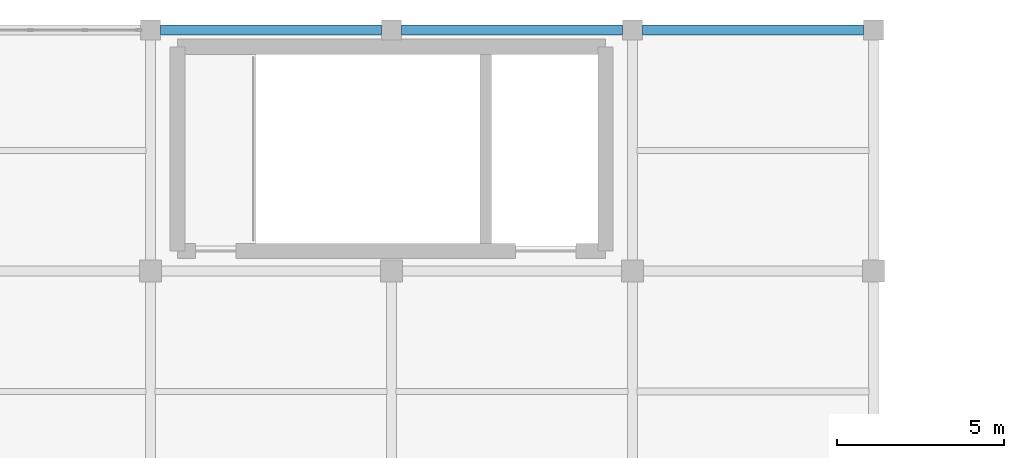
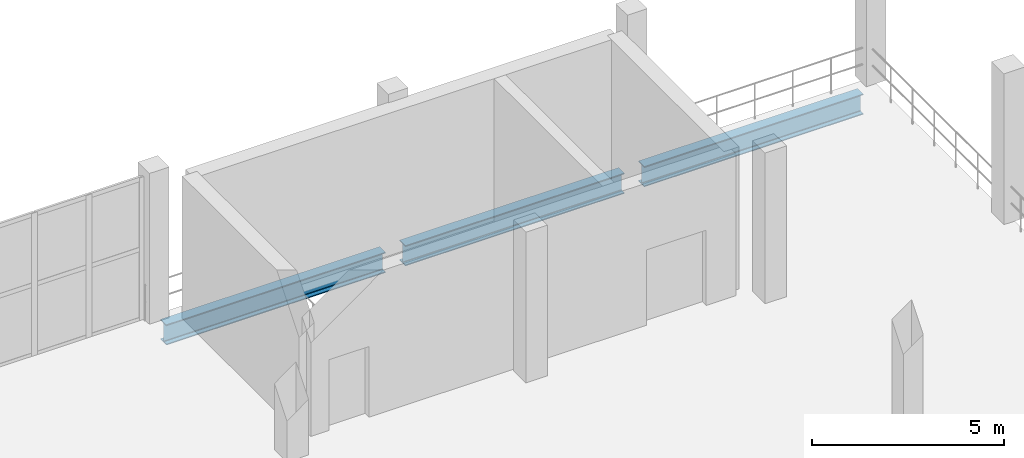
# One storey, part 73 of 105: 3 beams.
"""IFC4 building model written with IfcOpenShell, lengths in metres."""

from ifc_helpers import new_model, si_unit, direction, frame, origin, origin_2d, place, context, subcontext, project, spatial, i_section, extrude, material, material_profile, profile_set, type_object, element, save


model = new_model("IFC4")

# Units and contexts
model_context = context("Model", 3, precision=1e-05, world=origin(), true_north=direction((0.0, 1.0)))
body_context = subcontext(model_context, "Body", "Model", "MODEL_VIEW")
ifc_project = project(units=[si_unit("LENGTHUNIT", "METRE"), si_unit("AREAUNIT", "SQUARE_METRE"), si_unit("VOLUMEUNIT", "CUBIC_METRE"), si_unit("PLANEANGLEUNIT", "RADIAN"), si_unit("MASSUNIT", "GRAM", prefix="KILO")], contexts=[model_context])

# Site, building, storey
site_placement = place(None, origin())
site = spatial("IfcSite", under=ifc_project, at=site_placement, CompositionType="ELEMENT")
building_placement = place(site_placement, origin())
building = spatial("IfcBuilding", under=site, at=building_placement, Name="Qandorah Velis Arena", CompositionType="ELEMENT")
storey_placement = place(building_placement, frame((0.0, 0.0, 13.800048828125)))
storey = spatial("IfcBuildingStorey", under=building, at=storey_placement, Name="L03", CompositionType="ELEMENT", Elevation=13.800048828125)

# Beams
ifc_material = material(Name="Steel S355", Category="steel")
ifc_material_profile = material_profile(ifc_material, i_section(OverallWidth=0.300048828125, OverallDepth=0.64990234375, WebThickness=0.01611328125, FlangeThickness=0.031005859375, FilletRadius=0.027099609375, at=origin_2d()), Name="HEB 650")
ifc_profile_set = profile_set([ifc_material_profile], Name="Steel S355")
beam_type = type_object("IfcBeamType", Name="STR-BM-HEB650", PredefinedType="BEAM", material=ifc_profile_set)
beam_placement = place(storey_placement, frame((93.89990234375, 129.60009765625, -0.64501953125), z_axis=(1.0, 0.0, 0.0), x_axis=(0.0, 1.0, 0.0)))
element("IfcBeam", 1, at=beam_placement, inside=storey, type_object=beam_type, Name="Primary floor girder L03 X-175", PredefinedType="BEAM", context=body_context, shape_type="SweptSolid", body=[
    extrude(i_section(OverallWidth=0.300048828125, OverallDepth=0.64990234375, WebThickness=0.01611328125, FlangeThickness=0.031005859375, FilletRadius=0.027099609375, at=origin_2d()), origin(), (0.0, 0.0, 1.0), 6.60009765625),
])
for number, where, z_axis, x_axis, name in (
    (2, (101.10009765625, 129.60009765625, -0.64501953125), (1.0, 0.0, 0.0), (0.0, 1.0, 0.0), "Primary floor girder L03 X-176"),
    (3, (108.300048828125, 129.60009765625, -0.64501953125), (1.0, 0.0, 0.0), (0.0, 1.0, 0.0), "Primary floor girder L03 X-177"),
):
    element("IfcBeam", number, at=place(storey_placement, frame(where, z_axis=z_axis, x_axis=x_axis)), inside=storey, type_object=beam_type, Name=name, PredefinedType="BEAM", context=body_context, shape_type="SweptSolid", body=[
        extrude(i_section(OverallWidth=0.300048828125, OverallDepth=0.64990234375, WebThickness=0.01611328125, FlangeThickness=0.031005859375, FilletRadius=0.027099609375, at=origin_2d()), origin(), (0.0, 0.0, 1.0), 6.599853515625),
    ])

save(model, "model.ifc")
